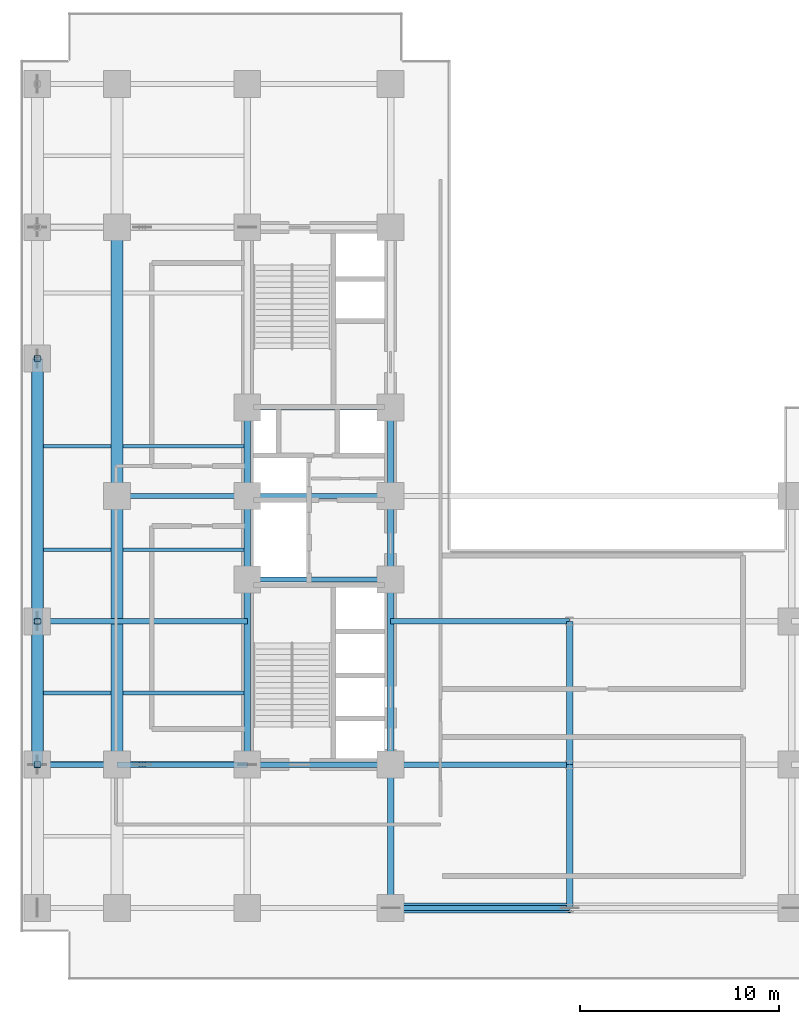
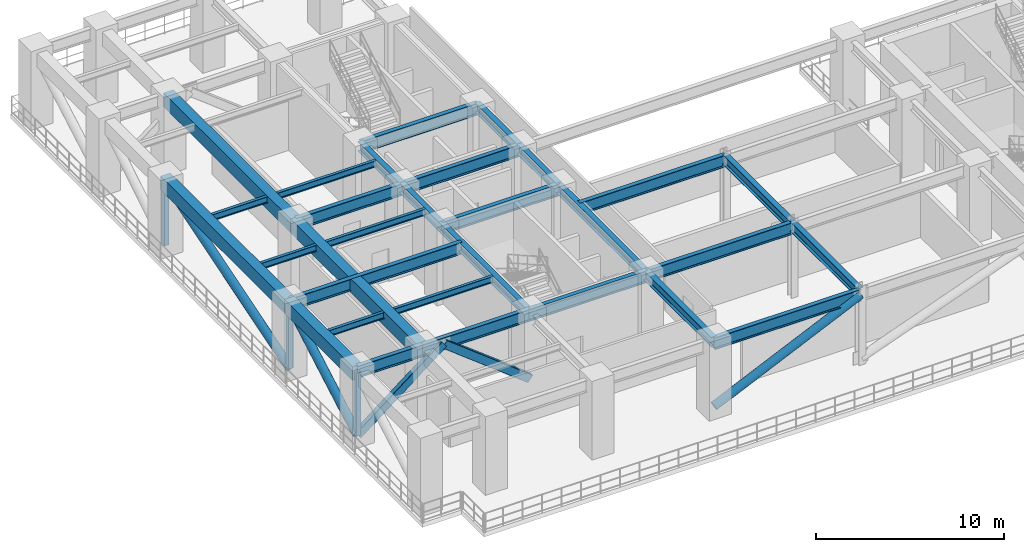
# One storey, part 2 of 15: 30 beams, 8 members.
"""IFC4 building model written with IfcOpenShell, lengths in metres."""

import ifcopenshell
import ifcopenshell.guid

model = None  # the IFC model being written
_history = None  # IfcOwnerHistory: only IFC2X3 demands one
_inside = {}  # id of a spatial element -> (the spatial element, [elements in it])
_under = {}  # id of a project, library or spatial element -> (it, [spatial elements below it])
_declared = {}  # id of a project -> (the project, [libraries it declares])
_typed = {}  # id of a type object -> (the type object, [elements of that type])
_made_of = {}  # id of a material, layer set ... -> (it, [elements and type objects made of it])


def new_model(schema):
    """Start an empty IFC model of exactly this schema.

    Asked for "IFC4X3", IfcOpenShell would pick the latest addendum, in which some entities
    have other attributes; the version numbers below select the first issue.
    IFC2X3 requires an IfcOwnerHistory on every rooted entity: one is made here for all.
    """
    global model, _history
    if schema == "IFC4X3":
        model = ifcopenshell.file(schema_version=(4, 3, 0, 0))
    else:
        model = ifcopenshell.file(schema=schema)
    _inside.clear()
    _under.clear()
    _declared.clear()
    _typed.clear()
    _made_of.clear()
    _history = None
    if model.schema == "IFC2X3":
        org = make("IfcOrganization", Name="unknown")
        user = make(
            "IfcPersonAndOrganization",
            ThePerson=make("IfcPerson", FamilyName="unknown"),
            TheOrganization=org,
        )
        app = make(
            "IfcApplication",
            ApplicationDeveloper=org,
            Version="unknown",
            ApplicationFullName="unknown",
            ApplicationIdentifier="unknown",
        )
        _history = make(
            "IfcOwnerHistory",
            OwningUser=user,
            OwningApplication=app,
            ChangeAction="ADDED",
            CreationDate=0,
        )
    return model


def make(cls, **values):
    """One entity of the class cls with the attributes given. An attribute that is None is left unset."""
    return model.create_entity(
        cls, **{name: value for name, value in values.items() if value is not None}
    )


def entity(cls, *values):
    """Any entity or typed value of the class cls, its attributes in the order of the schema. None: left unset."""
    e = model.create_entity(cls)
    for i, value in enumerate(values):
        if value is not None:
            e[i] = value
    return e


def rooted(cls, **values):
    """An entity with a GlobalId (a new one), such as an element, a storey or a relation."""
    return make(cls, GlobalId=ifcopenshell.guid.new(), OwnerHistory=_history, **values)


def si_unit(unit_type, name, prefix=None):
    """IfcSIUnit, for example si_unit("LENGTHUNIT", "METRE", prefix="MILLI")."""
    return make("IfcSIUnit", UnitType=unit_type, Prefix=prefix, Name=name)


def converted_unit(unit_type, name, factor, base, dimensions=None, offset=None):
    """IfcConversionBasedUnit, such as the inch: factor (a typed value) times the base unit."""
    return make(
        "IfcConversionBasedUnit"
        if offset is None
        else "IfcConversionBasedUnitWithOffset",
        ConversionOffset=offset,
        Dimensions=None
        if dimensions is None
        else entity("IfcDimensionalExponents", *dimensions),
        UnitType=unit_type,
        Name=name,
        ConversionFactor=make(
            "IfcMeasureWithUnit", ValueComponent=factor, UnitComponent=base
        ),
    )


def assignment(units):
    """IfcUnitAssignment: the units of a project."""
    return None if units is None else make("IfcUnitAssignment", Units=units)


def point(xyz):
    """IfcCartesianPoint."""
    return None if xyz is None else make("IfcCartesianPoint", Coordinates=xyz)


def direction(xyz):
    """IfcDirection."""
    return None if xyz is None else make("IfcDirection", DirectionRatios=xyz)


def frame(location, z_axis=None, x_axis=None):
    """IfcAxis2Placement3D, a coordinate frame: its origin and axes. An axis left out is left unset."""
    return make(
        "IfcAxis2Placement3D",
        Location=point(location),
        Axis=direction(z_axis),
        RefDirection=direction(x_axis),
    )


def frame_2d(location, x_axis=None):
    """IfcAxis2Placement2D, a coordinate frame in the plane: its origin and x axis."""
    return make(
        "IfcAxis2Placement2D", Location=point(location), RefDirection=direction(x_axis)
    )


def origin_with_axes():
    """The frame at (0, 0, 0) with the z axis (0, 0, 1) and the x axis (1, 0, 0) written out."""
    return frame((0.0, 0.0, 0.0), z_axis=(0.0, 0.0, 1.0), x_axis=(1.0, 0.0, 0.0))


def origin_2d_with_axis():
    """The frame at (0, 0) in the plane with the x axis (1, 0) written out."""
    return frame_2d((0.0, 0.0), x_axis=(1.0, 0.0))


def place(relative_to, where):
    """IfcLocalPlacement: puts the frame where relative to a parent placement (None: the world)."""
    return make(
        "IfcLocalPlacement", PlacementRelTo=relative_to, RelativePlacement=where
    )


def context(
    kind, dimensions, precision=None, world=None, true_north=None, identifier=None
):
    """IfcGeometricRepresentationContext, for example the 3D "Model" context."""
    return make(
        "IfcGeometricRepresentationContext",
        ContextIdentifier=identifier,
        ContextType=kind,
        CoordinateSpaceDimension=dimensions,
        Precision=precision,
        WorldCoordinateSystem=world,
        TrueNorth=true_north,
    )


def subcontext(parent, identifier, kind, view, scale=None):
    """IfcGeometricRepresentationSubContext, for example "Body" below "Model"."""
    return make(
        "IfcGeometricRepresentationSubContext",
        ContextIdentifier=identifier,
        ContextType=kind,
        ParentContext=parent,
        TargetScale=scale,
        TargetView=view,
    )


def project(units=None, contexts=None):
    """IfcProject with its units and contexts."""
    return rooted(
        "IfcProject",
        Name="project",
        RepresentationContexts=contexts,
        UnitsInContext=assignment(units),
    )


def spatial(cls, under=None, at=None, **own):
    """A site, building, storey or space (cls), placed at a placement, below another one or the project."""
    s = rooted(cls, ObjectPlacement=at, **own)
    if under is not None:
        _under.setdefault(under.id(), (under, []))[1].append(s)
    return s


def profile(cls, at=None, kind="AREA", **sizes):
    """A parametric profile (cls). Its sizes go by their IFC names, for example OverallWidth=200.0."""
    return make(cls, ProfileType=kind, Position=at, **sizes)


def rectangle(**sizes):
    """IfcRectangleProfileDef."""
    return profile("IfcRectangleProfileDef", **sizes)


def hollow_rectangle(**sizes):
    """IfcRectangleHollowProfileDef."""
    return profile("IfcRectangleHollowProfileDef", **sizes)


def hollow_circle(**sizes):
    """IfcCircleHollowProfileDef."""
    return profile("IfcCircleHollowProfileDef", **sizes)


def i_section(**sizes):
    """IfcIShapeProfileDef."""
    return profile("IfcIShapeProfileDef", **sizes)


def extrude(swept, where, along, depth):
    """IfcExtrudedAreaSolid: the profile swept, set in the frame where, extruded along a direction by depth."""
    return make(
        "IfcExtrudedAreaSolid",
        SweptArea=swept,
        Position=where,
        ExtrudedDirection=direction(along),
        Depth=depth,
    )


def shape(context_of_items, identifier, shape_type, items):
    """IfcShapeRepresentation: the items that make up one representation, for example the "Body"."""
    return make(
        "IfcShapeRepresentation",
        ContextOfItems=context_of_items,
        RepresentationIdentifier=identifier,
        RepresentationType=shape_type,
        Items=items,
    )


def material(Name=None, Category=None):
    """IfcMaterial."""
    return make("IfcMaterial", Name=Name, Category=Category)


def material_profile(
    of_material, cross_section, Name=None, Category=None, Priority=None
):
    """IfcMaterialProfile: a cross section and its material."""
    return make(
        "IfcMaterialProfile",
        Name=Name,
        Material=of_material,
        Profile=cross_section,
        Priority=Priority,
        Category=Category,
    )


def profile_set(profiles, Name=None, composite=None):
    """IfcMaterialProfileSet."""
    return make(
        "IfcMaterialProfileSet",
        Name=Name,
        MaterialProfiles=profiles,
        CompositeProfile=composite,
    )


def made_of(thing, what):
    """Note that an element or type object is made of a material, layer set ...; save() writes the relation."""
    if what is not None:
        _made_of.setdefault(what.id(), (what, []))[1].append(thing)
    return thing


def type_object(cls, material=None, **own):
    """A type object (cls), such as IfcWallType, which elements share."""
    return made_of(rooted(cls, **own), material)


def element(
    cls,
    number,
    at=None,
    inside=None,
    cuts=None,
    type_object=None,
    material=None,
    context=None,
    identifier="Body",
    shape_type=None,
    held_by="IfcProductDefinitionShape",
    body=None,
    shapes=None,
    **own,
):
    """One element of the class cls, such as IfcWall. Its Tag is "e" and its number.

    at: its placement. inside: the storey or other place that contains it. cuts: it is an
    opening in that element (IfcRelVoidsElement). A single representation is given by context,
    identifier, shape_type and body (its items); several are given by shapes. held_by: the class
    of the entity that holds the representations. save() writes the other relations.
    """
    e = rooted(cls, Tag="e%d" % number, ObjectPlacement=at, **own)
    if body is not None:
        shapes = [shape(context, identifier, shape_type, body)]
    if shapes is not None:
        e.Representation = make(held_by, Representations=shapes)
    if inside is not None:
        _inside.setdefault(inside.id(), (inside, []))[1].append(e)
    if cuts is not None:
        rooted(
            "IfcRelVoidsElement", RelatingBuildingElement=cuts, RelatedOpeningElement=e
        )
    if type_object is not None:
        _typed.setdefault(type_object.id(), (type_object, []))[1].append(e)
    return made_of(e, material)


def aggregate(whole, parts):
    """IfcRelAggregates: a whole, such as a stair, and the parts it consists of."""
    return rooted("IfcRelAggregates", RelatingObject=whole, RelatedObjects=parts)


def save(model, path):
    """Write the relations noted so far, then the file.

    IfcRelAggregates (storeys below a building ...), IfcRelContainedInSpatialStructure (elements
    in a storey), IfcRelDefinesByType, IfcRelAssociatesMaterial and IfcRelDeclares: one each for
    every whole, place, type object, material and project.
    """
    for whole, parts in _under.values():
        aggregate(whole, parts)
    for where, things in _inside.values():
        rooted(
            "IfcRelContainedInSpatialStructure",
            RelatedElements=things,
            RelatingStructure=where,
        )
    for kind, things in _typed.values():
        rooted("IfcRelDefinesByType", RelatedObjects=things, RelatingType=kind)
    for what, things in _made_of.values():
        rooted("IfcRelAssociatesMaterial", RelatedObjects=things, RelatingMaterial=what)
    for by, libraries in _declared.values():
        rooted("IfcRelDeclares", RelatingContext=by, RelatedDefinitions=libraries)
    model.write(path)


model = new_model("IFC4")

# Units and contexts
model_context = context("Model", 3, precision=1e-05, world=origin_with_axes(), true_north=direction((0.0, 1.0)))
body_context = subcontext(model_context, "Body", "Model", "MODEL_VIEW")
ifc_project = project(units=[si_unit("LENGTHUNIT", "METRE"), si_unit("AREAUNIT", "SQUARE_METRE"), si_unit("VOLUMEUNIT", "CUBIC_METRE"), converted_unit("PLANEANGLEUNIT", "DEGREE", entity("IfcPlaneAngleMeasure", 0.017453292519943295), si_unit("PLANEANGLEUNIT", "RADIAN"), dimensions=[0, 0, 0, 0, 0, 0, 0]), si_unit("MASSUNIT", "GRAM", prefix="KILO"), si_unit("THERMODYNAMICTEMPERATUREUNIT", "KELVIN")], contexts=[model_context])

# Site, building, storey
site_placement = place(None, origin_with_axes())
site = spatial("IfcSite", under=ifc_project, at=site_placement, CompositionType="ELEMENT")
building_placement = place(site_placement, origin_with_axes())
building = spatial("IfcBuilding", under=site, at=building_placement, Name="Varnlund Millrace Tower", CompositionType="ELEMENT")
storey_placement = place(building_placement, frame((0.0, 0.0, 79.5), z_axis=(0.0, 0.0, 1.0), x_axis=(1.0, 0.0, 0.0)))
storey = spatial("IfcBuildingStorey", under=building, at=storey_placement, Name="L19", CompositionType="ELEMENT", Elevation=79.5)

# Members
ifc_material_1 = material(Name="Steel ASTM A500 Grade C", Category="steel")
ifc_material_profile_1 = material_profile(ifc_material_1, hollow_circle(Radius=0.254, WallThickness=0.0147, at=origin_2d_with_axis()), Name="Steel ASTM A500 Grade C")
ifc_profile_set_1 = profile_set([ifc_material_profile_1], Name="Steel ASTM A500 Grade C")
member_type_1 = type_object("IfcMemberType", Name="Type-Belt-Brace-CHS508", PredefinedType="BRACE", material=ifc_profile_set_1)
member_1_placement = place(storey_placement, frame((0.85, 10.8, 0.35), z_axis=(0.0, 0.868985, 0.494839), x_axis=(-1.0, 0.0, 0.0)))
element("IfcMember", 1, at=member_1_placement, inside=storey, type_object=member_type_1, Name="Type-Belt-Brace-CHS508", PredefinedType="BRACE", context=body_context, shape_type="SweptSolid", body=[
    extrude(hollow_circle(Radius=0.254, WallThickness=0.0147, at=origin_2d_with_axis()), origin_with_axes(), (0.0, 0.0, 1.0), 8.28553),
])
member_2_placement = place(storey_placement, frame((0.85, 18.0, 0.35), z_axis=(0.0, 0.954993, 0.296627), x_axis=(-1.0, 0.0, 0.0)))
element("IfcMember", 2, at=member_2_placement, inside=storey, type_object=member_type_1, Name="Type-Belt-Brace-CHS508", PredefinedType="BRACE", context=body_context, shape_type="SweptSolid", body=[
    extrude(hollow_circle(Radius=0.254, WallThickness=0.0147, at=origin_2d_with_axis()), origin_with_axes(), (0.0, 0.0, 1.0), 13.822084),
])
member_3_placement = place(storey_placement, frame((18.6, 3.6, 0.35), z_axis=(0.91002, 0.0, 0.414565), x_axis=(0.0, 1.0, 0.0)))
element("IfcMember", 3, at=member_3_placement, inside=storey, type_object=member_type_1, Name="Type-Belt-Brace-CHS508", PredefinedType="BRACE", context=body_context, shape_type="SweptSolid", body=[
    extrude(hollow_circle(Radius=0.254, WallThickness=0.0147, at=origin_2d_with_axis()), origin_with_axes(), (0.0, 0.0, 1.0), 9.889894),
])
ifc_material_profile_2 = material_profile(ifc_material_1, hollow_rectangle(XDim=0.305, YDim=0.305, WallThickness=0.0147, InnerFilletRadius=0.015, OuterFilletRadius=0.03, at=origin_2d_with_axis()), Name="Steel ASTM A500 Grade C")
ifc_profile_set_2 = profile_set([ifc_material_profile_2], Name="Steel ASTM A500 Grade C")
member_type_2 = type_object("IfcMemberType", Name="Type-Belt-Chord-HSS12", PredefinedType="CHORD", material=ifc_profile_set_2)
for number, where, z_axis, x_axis, name in (
    (4, (0.85, 10.8, 0.35), (0.0, 0.0, 1.0), (1.0, 0.0, 0.0), "Type-Belt-Chord-HSS12"),
    (5, (0.85, 18.0, 0.35), (0.0, 0.0, 1.0), (1.0, 0.0, 0.0), "Type-Belt-Chord-HSS12"),
    (6, (0.85, 31.2, 0.35), (0.0, 0.0, 1.0), (1.0, 0.0, 0.0), "Type-Belt-Chord-HSS12"),
):
    element("IfcMember", number, at=place(storey_placement, frame(where, z_axis=z_axis, x_axis=x_axis)), inside=storey, type_object=member_type_2, Name=name, PredefinedType="CHORD", context=body_context, shape_type="SweptSolid", body=[
        extrude(hollow_rectangle(XDim=0.305, YDim=0.305, WallThickness=0.0147, InnerFilletRadius=0.015, OuterFilletRadius=0.03, at=origin_2d_with_axis()), origin_with_axes(), (0.0, 0.0, 1.0), 4.1),
    ])

# Beams
ifc_material_2 = material(Name="Steel ASTM A992 Grade 50", Category="steel")
ifc_material_profile_3 = material_profile(ifc_material_2, i_section(OverallWidth=0.328, OverallDepth=0.628, WebThickness=0.0165, FlangeThickness=0.0277, FilletRadius=0.018, at=origin_2d_with_axis()), Name="Steel ASTM A992 Grade 50")
ifc_profile_set_3 = profile_set([ifc_material_profile_3], Name="Steel ASTM A992 Grade 50")
beam_type_1 = type_object("IfcBeamType", Name="Type-Girder-W24X146", PredefinedType="USERDEFINED", material=ifc_profile_set_3)
beam_1_placement = place(storey_placement, frame((11.4, 10.8, 4.546), z_axis=(0.0, 1.0, 0.0), x_axis=(-1.0, 0.0, 0.0)))
element("IfcBeam", 7, at=beam_1_placement, inside=storey, type_object=beam_type_1, Name="Type-Girder-W24X146", ObjectType="GIRDER", PredefinedType="USERDEFINED", context=body_context, shape_type="SweptSolid", body=[
    extrude(i_section(OverallWidth=0.328, OverallDepth=0.628, WebThickness=0.0165, FlangeThickness=0.0277, FilletRadius=0.018, at=origin_2d_with_axis()), origin_with_axes(), (0.0, 0.0, 1.0), 9.3),
])
beam_2_placement = place(storey_placement, frame((11.4, 20.1, 4.546), z_axis=(0.0, 1.0, 0.0), x_axis=(-1.0, 0.0, 0.0)))
element("IfcBeam", 8, at=beam_2_placement, inside=storey, type_object=beam_type_1, Name="Type-Girder-W24X146", ObjectType="GIRDER", PredefinedType="USERDEFINED", context=body_context, shape_type="SweptSolid", body=[
    extrude(i_section(OverallWidth=0.328, OverallDepth=0.628, WebThickness=0.0165, FlangeThickness=0.0277, FilletRadius=0.018, at=origin_2d_with_axis()), origin_with_axes(), (0.0, 0.0, 1.0), 4.2),
])
beam_3_placement = place(storey_placement, frame((11.4, 24.3, 4.546), z_axis=(0.0, 1.0, 0.0), x_axis=(-1.0, 0.0, 0.0)))
element("IfcBeam", 9, at=beam_3_placement, inside=storey, type_object=beam_type_1, Name="Type-Girder-W24X146", ObjectType="GIRDER", PredefinedType="USERDEFINED", context=body_context, shape_type="SweptSolid", body=[
    extrude(i_section(OverallWidth=0.328, OverallDepth=0.628, WebThickness=0.0165, FlangeThickness=0.0277, FilletRadius=0.018, at=origin_2d_with_axis()), origin_with_axes(), (0.0, 0.0, 1.0), 4.45),
])
beam_4_placement = place(storey_placement, frame((18.6, 3.6, 4.546), z_axis=(0.0, 1.0, 0.0), x_axis=(-1.0, 0.0, 0.0)))
element("IfcBeam", 10, at=beam_4_placement, inside=storey, type_object=beam_type_1, Name="Type-Girder-W24X146", ObjectType="GIRDER", PredefinedType="USERDEFINED", context=body_context, shape_type="SweptSolid", body=[
    extrude(i_section(OverallWidth=0.328, OverallDepth=0.628, WebThickness=0.0165, FlangeThickness=0.0277, FilletRadius=0.018, at=origin_2d_with_axis()), origin_with_axes(), (0.0, 0.0, 1.0), 7.2),
])
beam_5_placement = place(storey_placement, frame((18.6, 10.8, 4.546), z_axis=(0.0, 1.0, 0.0), x_axis=(-1.0, 0.0, 0.0)))
element("IfcBeam", 11, at=beam_5_placement, inside=storey, type_object=beam_type_1, Name="Type-Girder-W24X146", ObjectType="GIRDER", PredefinedType="USERDEFINED", context=body_context, shape_type="SweptSolid", body=[
    extrude(i_section(OverallWidth=0.328, OverallDepth=0.628, WebThickness=0.0165, FlangeThickness=0.0277, FilletRadius=0.018, at=origin_2d_with_axis()), origin_with_axes(), (0.0, 0.0, 1.0), 9.3),
])
beam_6_placement = place(storey_placement, frame((18.6, 20.1, 4.546), z_axis=(0.0, 1.0, 0.0), x_axis=(-1.0, 0.0, 0.0)))
element("IfcBeam", 12, at=beam_6_placement, inside=storey, type_object=beam_type_1, Name="Type-Girder-W24X146", ObjectType="GIRDER", PredefinedType="USERDEFINED", context=body_context, shape_type="SweptSolid", body=[
    extrude(i_section(OverallWidth=0.328, OverallDepth=0.628, WebThickness=0.0165, FlangeThickness=0.0277, FilletRadius=0.018, at=origin_2d_with_axis()), origin_with_axes(), (0.0, 0.0, 1.0), 4.2),
])
beam_7_placement = place(storey_placement, frame((18.6, 24.3, 4.546), z_axis=(0.0, 1.0, 0.0), x_axis=(-1.0, 0.0, 0.0)))
element("IfcBeam", 13, at=beam_7_placement, inside=storey, type_object=beam_type_1, Name="Type-Girder-W24X146", ObjectType="GIRDER", PredefinedType="USERDEFINED", context=body_context, shape_type="SweptSolid", body=[
    extrude(i_section(OverallWidth=0.328, OverallDepth=0.628, WebThickness=0.0165, FlangeThickness=0.0277, FilletRadius=0.018, at=origin_2d_with_axis()), origin_with_axes(), (0.0, 0.0, 1.0), 4.45),
])
for number, where, z_axis, x_axis, name in (
    (14, (27.6, 3.6, 4.546), (0.0, 1.0, 0.0), (-1.0, 0.0, 0.0), "Type-Girder-W24X146"),
    (15, (27.6, 10.8, 4.546), (0.0, 1.0, 0.0), (-1.0, 0.0, 0.0), "Type-Girder-W24X146"),
):
    element("IfcBeam", number, at=place(storey_placement, frame(where, z_axis=z_axis, x_axis=x_axis)), inside=storey, type_object=beam_type_1, Name=name, ObjectType="GIRDER", PredefinedType="USERDEFINED", context=body_context, shape_type="SweptSolid", body=[
        extrude(i_section(OverallWidth=0.328, OverallDepth=0.628, WebThickness=0.0165, FlangeThickness=0.0277, FilletRadius=0.018, at=origin_2d_with_axis()), origin_with_axes(), (0.0, 0.0, 1.0), 7.2),
    ])
ifc_material_profile_4 = material_profile(ifc_material_2, i_section(OverallWidth=0.266, OverallDepth=0.779, WebThickness=0.0165, FlangeThickness=0.03, FilletRadius=0.02, at=origin_2d_with_axis()), Name="Steel ASTM A992 Grade 50")
ifc_profile_set_4 = profile_set([ifc_material_profile_4], Name="Steel ASTM A992 Grade 50")
beam_type_2 = type_object("IfcBeamType", Name="Type-Girder-W30X148", PredefinedType="USERDEFINED", material=ifc_profile_set_4)
beam_8_placement = place(storey_placement, frame((18.6, 3.6, 4.4705), z_axis=(1.0, 0.0, 0.0), x_axis=(0.0, 1.0, 0.0)))
element("IfcBeam", 16, at=beam_8_placement, inside=storey, type_object=beam_type_2, Name="Type-Girder-W30X148", ObjectType="GIRDER", PredefinedType="USERDEFINED", context=body_context, shape_type="SweptSolid", body=[
    extrude(i_section(OverallWidth=0.266, OverallDepth=0.779, WebThickness=0.0165, FlangeThickness=0.03, FilletRadius=0.02, at=origin_2d_with_axis()), origin_with_axes(), (0.0, 0.0, 1.0), 9.0),
])
beam_9_placement = place(storey_placement, frame((0.85, 10.8, 4.4705), z_axis=(1.0, 0.0, 0.0), x_axis=(0.0, 1.0, 0.0)))
element("IfcBeam", 17, at=beam_9_placement, inside=storey, type_object=beam_type_2, Name="Type-Girder-W30X148", ObjectType="GIRDER", PredefinedType="USERDEFINED", context=body_context, shape_type="SweptSolid", body=[
    extrude(i_section(OverallWidth=0.266, OverallDepth=0.779, WebThickness=0.0165, FlangeThickness=0.03, FilletRadius=0.02, at=origin_2d_with_axis()), origin_with_axes(), (0.0, 0.0, 1.0), 4.0),
])
beam_10_placement = place(storey_placement, frame((4.85, 10.8, 4.4705), z_axis=(1.0, 0.0, 0.0), x_axis=(0.0, 1.0, 0.0)))
element("IfcBeam", 18, at=beam_10_placement, inside=storey, type_object=beam_type_2, Name="Type-Girder-W30X148", ObjectType="GIRDER", PredefinedType="USERDEFINED", context=body_context, shape_type="SweptSolid", body=[
    extrude(i_section(OverallWidth=0.266, OverallDepth=0.779, WebThickness=0.0165, FlangeThickness=0.03, FilletRadius=0.02, at=origin_2d_with_axis()), origin_with_axes(), (0.0, 0.0, 1.0), 6.55),
])
beam_11_placement = place(storey_placement, frame((11.4, 10.8, 4.4705), z_axis=(1.0, 0.0, 0.0), x_axis=(0.0, 1.0, 0.0)))
element("IfcBeam", 19, at=beam_11_placement, inside=storey, type_object=beam_type_2, Name="Type-Girder-W30X148", ObjectType="GIRDER", PredefinedType="USERDEFINED", context=body_context, shape_type="SweptSolid", body=[
    extrude(i_section(OverallWidth=0.266, OverallDepth=0.779, WebThickness=0.0165, FlangeThickness=0.03, FilletRadius=0.02, at=origin_2d_with_axis()), origin_with_axes(), (0.0, 0.0, 1.0), 7.2),
])
beam_12_placement = place(storey_placement, frame((18.6, 10.8, 4.4705), z_axis=(1.0, 0.0, 0.0), x_axis=(0.0, 1.0, 0.0)))
element("IfcBeam", 20, at=beam_12_placement, inside=storey, type_object=beam_type_2, Name="Type-Girder-W30X148", ObjectType="GIRDER", PredefinedType="USERDEFINED", context=body_context, shape_type="SweptSolid", body=[
    extrude(i_section(OverallWidth=0.266, OverallDepth=0.779, WebThickness=0.0165, FlangeThickness=0.03, FilletRadius=0.02, at=origin_2d_with_axis()), origin_with_axes(), (0.0, 0.0, 1.0), 9.0),
])
beam_13_placement = place(storey_placement, frame((0.85, 18.0, 4.4705), z_axis=(1.0, 0.0, 0.0), x_axis=(0.0, 1.0, 0.0)))
element("IfcBeam", 21, at=beam_13_placement, inside=storey, type_object=beam_type_2, Name="Type-Girder-W30X148", ObjectType="GIRDER", PredefinedType="USERDEFINED", context=body_context, shape_type="SweptSolid", body=[
    extrude(i_section(OverallWidth=0.266, OverallDepth=0.779, WebThickness=0.0165, FlangeThickness=0.03, FilletRadius=0.02, at=origin_2d_with_axis()), origin_with_axes(), (0.0, 0.0, 1.0), 10.55),
])
beam_14_placement = place(storey_placement, frame((18.6, 18.0, 4.4705), z_axis=(1.0, 0.0, 0.0), x_axis=(0.0, 1.0, 0.0)))
element("IfcBeam", 22, at=beam_14_placement, inside=storey, type_object=beam_type_2, Name="Type-Girder-W30X148", ObjectType="GIRDER", PredefinedType="USERDEFINED", context=body_context, shape_type="SweptSolid", body=[
    extrude(i_section(OverallWidth=0.266, OverallDepth=0.779, WebThickness=0.0165, FlangeThickness=0.03, FilletRadius=0.02, at=origin_2d_with_axis()), origin_with_axes(), (0.0, 0.0, 1.0), 9.0),
])
beam_15_placement = place(storey_placement, frame((11.4, 20.1, 4.4705), z_axis=(1.0, 0.0, 0.0), x_axis=(0.0, 1.0, 0.0)))
element("IfcBeam", 23, at=beam_15_placement, inside=storey, type_object=beam_type_2, Name="Type-Girder-W30X148", ObjectType="GIRDER", PredefinedType="USERDEFINED", context=body_context, shape_type="SweptSolid", body=[
    extrude(i_section(OverallWidth=0.266, OverallDepth=0.779, WebThickness=0.0165, FlangeThickness=0.03, FilletRadius=0.02, at=origin_2d_with_axis()), origin_with_axes(), (0.0, 0.0, 1.0), 7.2),
])
beam_16_placement = place(storey_placement, frame((4.85, 24.3, 4.4705), z_axis=(1.0, 0.0, 0.0), x_axis=(0.0, 1.0, 0.0)))
element("IfcBeam", 24, at=beam_16_placement, inside=storey, type_object=beam_type_2, Name="Type-Girder-W30X148", ObjectType="GIRDER", PredefinedType="USERDEFINED", context=body_context, shape_type="SweptSolid", body=[
    extrude(i_section(OverallWidth=0.266, OverallDepth=0.779, WebThickness=0.0165, FlangeThickness=0.03, FilletRadius=0.02, at=origin_2d_with_axis()), origin_with_axes(), (0.0, 0.0, 1.0), 6.55),
])
for number, where, z_axis, x_axis, name in (
    (25, (11.4, 24.3, 4.4705), (1.0, 0.0, 0.0), (0.0, 1.0, 0.0), "Type-Girder-W30X148"),
    (26, (11.4, 28.75, 4.4705), (1.0, 0.0, 0.0), (0.0, 1.0, 0.0), "Type-Girder-W30X148"),
):
    element("IfcBeam", number, at=place(storey_placement, frame(where, z_axis=z_axis, x_axis=x_axis)), inside=storey, type_object=beam_type_2, Name=name, ObjectType="GIRDER", PredefinedType="USERDEFINED", context=body_context, shape_type="SweptSolid", body=[
        extrude(i_section(OverallWidth=0.266, OverallDepth=0.779, WebThickness=0.0165, FlangeThickness=0.03, FilletRadius=0.02, at=origin_2d_with_axis()), origin_with_axes(), (0.0, 0.0, 1.0), 7.2),
    ])
ifc_material_profile_5 = material_profile(ifc_material_2, i_section(OverallWidth=0.181, OverallDepth=0.417, WebThickness=0.0109, FlangeThickness=0.0182, FilletRadius=0.013, at=origin_2d_with_axis()), Name="Steel ASTM A992 Grade 50")
ifc_profile_set_5 = profile_set([ifc_material_profile_5], Name="Steel ASTM A992 Grade 50")
beam_type_3 = type_object("IfcBeamType", Name="Type-Joist-W16X57", PredefinedType="JOIST", material=ifc_profile_set_5)
for number, where, z_axis, x_axis, name in (
    (27, (1.15, 14.4, 4.6515), (1.0, 0.0, 0.0), (0.0, 1.0, 0.0), "Type-Joist-W16X57"),
    (28, (1.15, 21.6, 4.6515), (1.0, 0.0, 0.0), (0.0, 1.0, 0.0), "Type-Joist-W16X57"),
    (29, (1.15, 26.8, 4.6515), (1.0, 0.0, 0.0), (0.0, 1.0, 0.0), "Type-Joist-W16X57"),
):
    element("IfcBeam", number, at=place(storey_placement, frame(where, z_axis=z_axis, x_axis=x_axis)), inside=storey, type_object=beam_type_3, Name=name, PredefinedType="JOIST", context=body_context, shape_type="SweptSolid", body=[
        extrude(i_section(OverallWidth=0.181, OverallDepth=0.417, WebThickness=0.0109, FlangeThickness=0.0182, FilletRadius=0.013, at=origin_2d_with_axis()), origin_with_axes(), (0.0, 0.0, 1.0), 3.4),
    ])
for number, where, z_axis, x_axis, name in (
    (30, (5.15, 14.4, 4.6515), (1.0, 0.0, 0.0), (0.0, 1.0, 0.0), "Type-Joist-W16X57"),
    (31, (5.15, 21.6, 4.6515), (1.0, 0.0, 0.0), (0.0, 1.0, 0.0), "Type-Joist-W16X57"),
    (32, (5.15, 26.8, 4.6515), (1.0, 0.0, 0.0), (0.0, 1.0, 0.0), "Type-Joist-W16X57"),
):
    element("IfcBeam", number, at=place(storey_placement, frame(where, z_axis=z_axis, x_axis=x_axis)), inside=storey, type_object=beam_type_3, Name=name, PredefinedType="JOIST", context=body_context, shape_type="SweptSolid", body=[
        extrude(i_section(OverallWidth=0.181, OverallDepth=0.417, WebThickness=0.0109, FlangeThickness=0.0182, FilletRadius=0.013, at=origin_2d_with_axis()), origin_with_axes(), (0.0, 0.0, 1.0), 6.086),
    ])

# Members
ifc_material_profile_6 = material_profile(ifc_material_1, hollow_rectangle(XDim=0.305, YDim=0.508, WallThickness=0.0147, InnerFilletRadius=0.015, OuterFilletRadius=0.03, at=origin_2d_with_axis()), Name="Steel ASTM A500 Grade C")
ifc_profile_set_6 = profile_set([ifc_material_profile_6], Name="Steel ASTM A500 Grade C")
member_type_3 = type_object("IfcMemberType", Name="Type-Outrigger-Brace-HSS20X12", PredefinedType="BRACE", material=ifc_profile_set_6)
for number, where, z_axis, x_axis, name in (
    (33, (0.85, 10.8, 0.35), (0.789554, 0.0, 0.613682), (0.0, 1.0, 0.0), "Type-Outrigger-Brace-HSS20X12"),
    (34, (11.4, 10.8, 0.35), (-0.789554, 0.0, 0.613682), (0.0, -1.0, 0.0), "Type-Outrigger-Brace-HSS20X12"),
):
    element("IfcMember", number, at=place(storey_placement, frame(where, z_axis=z_axis, x_axis=x_axis)), inside=storey, type_object=member_type_3, Name=name, PredefinedType="BRACE", context=body_context, shape_type="SweptSolid", body=[
        extrude(hollow_rectangle(XDim=0.305, YDim=0.508, WallThickness=0.0147, InnerFilletRadius=0.015, OuterFilletRadius=0.03, at=origin_2d_with_axis()), origin_with_axes(), (0.0, 0.0, 1.0), 6.68099),
    ])

# Beams
ifc_material_3 = material(Name="Concrete C70/85", Category="concrete")
ifc_material_profile_7 = material_profile(ifc_material_3, rectangle(XDim=0.6, YDim=0.9, at=origin_2d_with_axis()), Name="Concrete C70/85")
ifc_profile_set_7 = profile_set([ifc_material_profile_7], Name="Concrete C70/85")
beam_type_4 = type_object("IfcBeamType", Name="Type-Spandrel-RC600X900", PredefinedType="SPANDREL", material=ifc_profile_set_7)
beam_17_placement = place(storey_placement, frame((0.85, 10.8, 4.41), z_axis=(0.0, 1.0, 0.0), x_axis=(-1.0, 0.0, 0.0)))
element("IfcBeam", 35, at=beam_17_placement, inside=storey, type_object=beam_type_4, Name="Type-Spandrel-RC600X900", PredefinedType="SPANDREL", context=body_context, shape_type="SweptSolid", body=[
    extrude(rectangle(XDim=0.6, YDim=0.9, at=origin_2d_with_axis()), origin_with_axes(), (0.0, 0.0, 1.0), 7.2),
])
beam_18_placement = place(storey_placement, frame((0.85, 18.0, 4.41), z_axis=(0.0, 1.0, 0.0), x_axis=(-1.0, 0.0, 0.0)))
element("IfcBeam", 36, at=beam_18_placement, inside=storey, type_object=beam_type_4, Name="Type-Spandrel-RC600X900", PredefinedType="SPANDREL", context=body_context, shape_type="SweptSolid", body=[
    extrude(rectangle(XDim=0.6, YDim=0.9, at=origin_2d_with_axis()), origin_with_axes(), (0.0, 0.0, 1.0), 13.2),
])
for number, where, z_axis, x_axis, name in (
    (37, (4.85, 10.8, 4.41), (0.0, 1.0, 0.0), (-1.0, 0.0, 0.0), "Type-Spandrel-RC600X900"),
    (38, (4.85, 24.3, 4.41), (0.0, 1.0, 0.0), (-1.0, 0.0, 0.0), "Type-Spandrel-RC600X900"),
):
    element("IfcBeam", number, at=place(storey_placement, frame(where, z_axis=z_axis, x_axis=x_axis)), inside=storey, type_object=beam_type_4, Name=name, PredefinedType="SPANDREL", context=body_context, shape_type="SweptSolid", body=[
        extrude(rectangle(XDim=0.6, YDim=0.9, at=origin_2d_with_axis()), origin_with_axes(), (0.0, 0.0, 1.0), 13.5),
    ])

save(model, "model.ifc")
